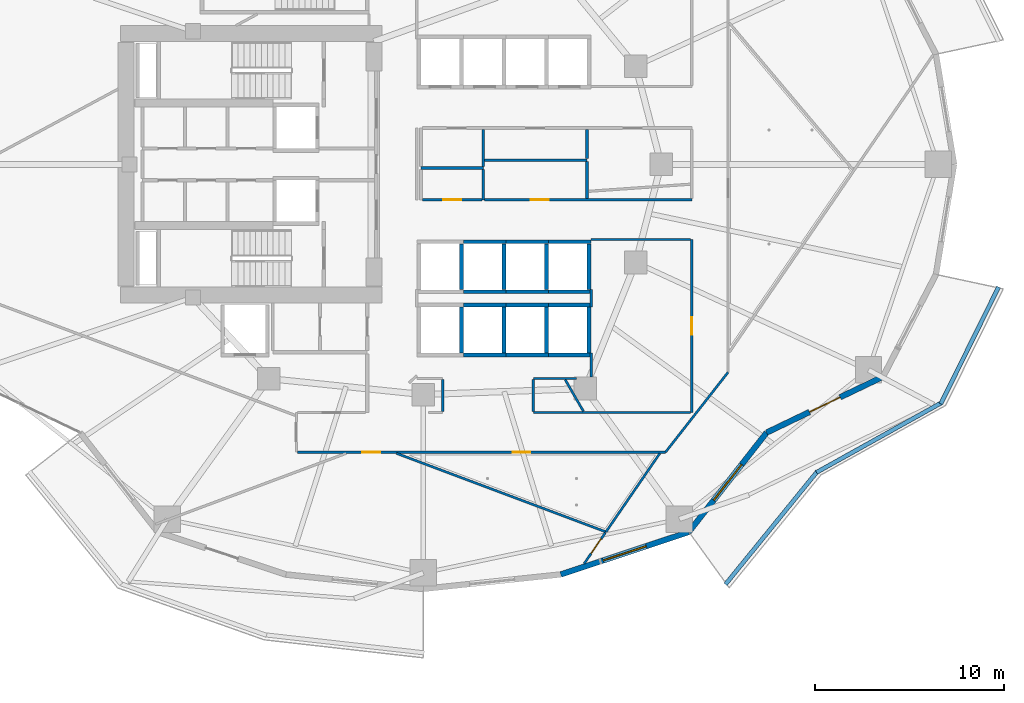
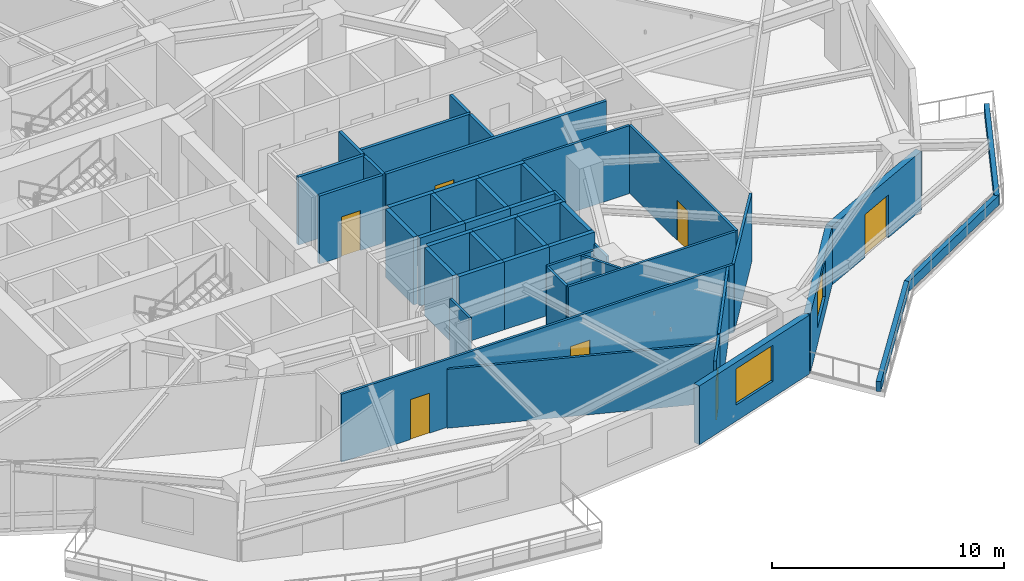
# One storey, part 8 of 19: 48 walls, 7 doors, 2 windows, 9 openings.
"""IFC4 building model written with IfcOpenShell, lengths in metres."""

from ifc_helpers import new_model, si_unit, direction, frame, frame_2d, origin, place, context, subcontext, project, spatial, rectangle, extrude, material, layer, layer_set, type_object, element, fill, save


model = new_model("IFC4")

# Units and contexts
model_context = context("Model", 3, precision=1e-05, world=origin(), true_north=direction((0.0, 1.0)))
body_context = subcontext(model_context, "Body", "Model", "MODEL_VIEW")
ifc_project = project(units=[si_unit("LENGTHUNIT", "METRE"), si_unit("AREAUNIT", "SQUARE_METRE"), si_unit("VOLUMEUNIT", "CUBIC_METRE"), si_unit("PLANEANGLEUNIT", "RADIAN"), si_unit("MASSUNIT", "GRAM", prefix="KILO")], contexts=[model_context])

# Site, building, storey
site_placement = place(None, origin())
site = spatial("IfcSite", under=ifc_project, at=site_placement, CompositionType="ELEMENT")
building_placement = place(site_placement, origin())
building = spatial("IfcBuilding", under=site, at=building_placement, Name="Kolvaren Gate Tower and Convention Centre", CompositionType="ELEMENT")
storey_placement = place(building_placement, frame((0.0, 0.0, 38.050048828125)))
storey = spatial("IfcBuildingStorey", under=building, at=storey_placement, Name="L08", CompositionType="ELEMENT", Elevation=38.050048828125)

# Wall, opening, door
ifc_material_1 = material(Name="Fire-Rated Acoustic Gypsum Stud Partition", Category="gypsum")
ifc_layer_1 = layer(ifc_material_1, 0.1201171875)
ifc_layer_set_1 = layer_set([ifc_layer_1], Name="Fire-Rated Acoustic Gypsum Stud Partition")
wall_type_1 = type_object("IfcWallType", Name="ARCH-WL-PART-120", PredefinedType="PARTITIONING", material=ifc_layer_set_1)
wall_1_placement = place(storey_placement, frame((44.35009765625, 13.85009765625, 0.0), z_axis=(0.0, 0.0, 1.0), x_axis=(0.0, 1.0, 0.0)))
wall_1 = element("IfcWall", 1, at=wall_1_placement, inside=storey, type_object=wall_type_1, Name="Interior Partition WL-L08-INT-026", PredefinedType="PARTITIONING", context=body_context, shape_type="SweptSolid", body=[
    extrude(rectangle(XDim=9.169921875, YDim=0.1201171875, at=frame_2d((4.5849609375, 0.0))), origin(), (0.0, 0.0, 1.0), 3.570068359375),
])
opening_1_placement = place(wall_1_placement, frame((4.110107421875, 0.0, 0.0)))
opening_1 = element("IfcOpeningElement", 2, at=opening_1_placement, cuts=wall_1, Name="Opening DR-01", PredefinedType="OPENING", context=body_context, shape_type="SweptSolid", body=[
    extrude(rectangle(XDim=0.949951171875, YDim=2.10009765625, at=frame_2d((0.47509765625, 1.050048828125))), frame((0.0, 0.070068359375, 0.0), z_axis=(0.0, -1.0, 0.0), x_axis=(1.0, 0.0, 0.0)), (0.0, 0.0, 1.0), 0.14013671875),
])
ifc_material_2 = material(Name="Painted Architectural Steelwork ASTM A500 Grade C 345 MPa", Category="steel")
door_type_1 = type_object("IfcDoorType", Name="ARCH-DR-RISER-950", OperationType="SINGLE_SWING_RIGHT", PredefinedType="DOOR", material=ifc_material_2)
door_1_placement = place(opening_1_placement, origin())
door_1 = element("IfcDoor", 3, at=door_1_placement, inside=storey, type_object=door_type_1, Name="Strategy Huddle Meeting Room Door", OperationType="SINGLE_SWING_RIGHT", OverallHeight=2.10009765625, OverallWidth=0.949951171875, PredefinedType="DOOR", context=body_context, shape_type="SweptSolid", body=[
    extrude(rectangle(XDim=0.949951171875, YDim=2.10009765625, at=frame_2d((0.47509765625, 1.050048828125))), frame((0.0, 0.02490234375, 0.0), z_axis=(0.0, -1.0, 0.0), x_axis=(1.0, 0.0, 0.0)), (0.0, 0.0, 1.0), 0.050048828125),
])
fill(opening_1, door_1)

# Wall
wall_2_placement = place(storey_placement, frame((42.95703125, 11.75, 0.0), z_axis=(0.0, 0.0, 1.0), x_axis=(0.616428289415, 0.78741105149, 0.0)))
element("IfcWall", 4, at=wall_2_placement, inside=storey, type_object=wall_type_1, Name="Interior Partition WL-L08-INT-036", PredefinedType="PARTITIONING", context=body_context, shape_type="SweptSolid", body=[
    extrude(rectangle(XDim=5.37451171875, YDim=0.1201171875, at=frame_2d((2.687255859375, 0.0))), origin(), (0.0, 0.0, 1.0), 3.570068359375),
])

# Wall, openings, doors
wall_3_placement = place(storey_placement, frame((23.4619140625, 11.75, 0.0), z_axis=(0.0, 0.0, 1.0), x_axis=(1.0, 0.0, 0.0)))
wall_3 = element("IfcWall", 5, at=wall_3_placement, inside=storey, type_object=wall_type_1, Name="Interior Partition WL-L08-INT-037", PredefinedType="PARTITIONING", context=body_context, shape_type="SweptSolid", body=[
    extrude(rectangle(XDim=19.4951171875, YDim=0.1201171875, at=frame_2d((9.74755859375, 0.0))), origin(), (0.0, 0.0, 1.0), 3.570068359375),
])
opening_2_placement = place(wall_3_placement, frame((3.43408203125, 0.0, 0.0)))
opening_2 = element("IfcOpeningElement", 6, at=opening_2_placement, cuts=wall_3, Name="Opening DR-01", PredefinedType="OPENING", context=body_context, shape_type="SweptSolid", body=[
    extrude(rectangle(XDim=0.949951171875, YDim=2.10009765625, at=frame_2d((0.47509765625, 1.050048828125))), frame((0.0, 0.070068359375, 0.0), z_axis=(0.0, -1.0, 0.0), x_axis=(1.0, 0.0, 0.0)), (0.0, 0.0, 1.0), 0.14013671875),
])
opening_3_placement = place(wall_3_placement, frame((11.388427734375, 0.0, 0.0)))
opening_3 = element("IfcOpeningElement", 7, at=opening_3_placement, cuts=wall_3, Name="Opening DR-01", PredefinedType="OPENING", context=body_context, shape_type="SweptSolid", body=[
    extrude(rectangle(XDim=0.949951171875, YDim=2.10009765625, at=frame_2d((0.47509765625, 1.050048828125))), frame((0.0, 0.070068359375, 0.0), z_axis=(0.0, -1.0, 0.0), x_axis=(1.0, 0.0, 0.0)), (0.0, 0.0, 1.0), 0.14013671875),
])
door_2_placement = place(opening_2_placement, origin())
door_2 = element("IfcDoor", 8, at=door_2_placement, inside=storey, type_object=door_type_1, Name="Conference and Training Seminar Room Door", OperationType="SINGLE_SWING_RIGHT", OverallHeight=2.10009765625, OverallWidth=0.949951171875, PredefinedType="DOOR", context=body_context, shape_type="SweptSolid", body=[
    extrude(rectangle(XDim=0.949951171875, YDim=2.10009765625, at=frame_2d((0.47509765625, 1.050048828125))), frame((0.0, 0.02490234375, 0.0), z_axis=(0.0, -1.0, 0.0), x_axis=(1.0, 0.0, 0.0)), (0.0, 0.0, 1.0), 0.050048828125),
])
fill(opening_2, door_2)
door_3_placement = place(opening_3_placement, origin())
door_3 = element("IfcDoor", 9, at=door_3_placement, inside=storey, type_object=door_type_1, Name="Catering Tea Pantry Door", OperationType="SINGLE_SWING_LEFT", OverallHeight=2.10009765625, OverallWidth=0.949951171875, PredefinedType="DOOR", context=body_context, shape_type="SweptSolid", body=[
    extrude(rectangle(XDim=0.949951171875, YDim=2.10009765625, at=frame_2d((0.47509765625, 1.050048828125))), frame((0.0, 0.02490234375, 0.0), z_axis=(0.0, -1.0, 0.0), x_axis=(1.0, 0.0, 0.0)), (0.0, 0.0, 1.0), 0.050048828125),
])
fill(opening_3, door_3)

# Walls
wall_4_placement = place(storey_placement, frame((35.949951171875, 13.85009765625, 0.0), z_axis=(0.0, 0.0, 1.0), x_axis=(1.0, 0.0, 0.0)))
element("IfcWall", 10, at=wall_4_placement, inside=storey, type_object=wall_type_1, Name="Interior Partition WL-L08-INT-040", PredefinedType="PARTITIONING", context=body_context, shape_type="SweptSolid", body=[
    extrude(rectangle(XDim=8.338134765625, YDim=0.1201171875, at=frame_2d((4.1689453125, 0.0))), origin(), (0.0, 0.0, 1.0), 3.570068359375),
])
wall_5_placement = place(storey_placement, frame((35.949951171875, 15.64990234375, 0.0), z_axis=(0.0, 0.0, 1.0), x_axis=(1.0, 0.0, 0.0)))
element("IfcWall", 11, at=wall_5_placement, inside=storey, type_object=wall_type_1, Name="Interior Partition WL-L08-INT-044", PredefinedType="PARTITIONING", context=body_context, shape_type="SweptSolid", body=[
    extrude(rectangle(XDim=2.291015625, YDim=0.1201171875, at=frame_2d((1.1455078125, 0.0))), origin(), (0.0, 0.0, 1.0), 3.570068359375),
])
wall_6_placement = place(storey_placement, frame((35.949951171875, 13.912109375, 0.0), z_axis=(0.0, 0.0, 1.0), x_axis=(0.0, 1.0, 0.0)))
element("IfcWall", 12, at=wall_6_placement, inside=storey, type_object=wall_type_1, Name="Interior Partition WL-L08-INT-045", PredefinedType="PARTITIONING", context=body_context, shape_type="SweptSolid", body=[
    extrude(rectangle(XDim=1.67578125, YDim=0.1201171875, at=frame_2d((0.837890625, 0.0))), origin(), (0.0, 0.0, 1.0), 3.570068359375),
])
wall_7_placement = place(storey_placement, frame((39.0, 23.02001953125, 0.0), z_axis=(0.0, 0.0, 1.0), x_axis=(1.0, 0.0, 0.0)))
element("IfcWall", 13, at=wall_7_placement, inside=storey, type_object=wall_type_1, Name="Interior Partition WL-L08-INT-046", PredefinedType="PARTITIONING", context=body_context, shape_type="SweptSolid", body=[
    extrude(rectangle(XDim=5.2880859375, YDim=0.1201171875, at=frame_2d((2.64404296875, 0.0))), origin(), (0.0, 0.0, 1.0), 3.570068359375),
])
wall_8_placement = place(storey_placement, frame((39.02001953125, 15.741943359375, 0.0), z_axis=(0.0, 0.0, 1.0), x_axis=(0.0, 1.0, 0.0)))
element("IfcWall", 14, at=wall_8_placement, inside=storey, type_object=wall_type_1, Name="Interior Partition WL-L08-INT-047", PredefinedType="PARTITIONING", context=body_context, shape_type="SweptSolid", body=[
    extrude(rectangle(XDim=1.26806640625, YDim=0.1201171875, at=frame_2d((0.634033203125, 0.0))), origin(), (0.0, 0.0, 1.0), 2.933837890625),
])
wall_9_placement = place(storey_placement, frame((39.02001953125, 19.43994140625, 0.0), z_axis=(0.0, 0.0, 1.0), x_axis=(0.0, 1.0, 0.0)))
element("IfcWall", 15, at=wall_9_placement, inside=storey, type_object=wall_type_1, Name="Interior Partition WL-L08-INT-047 (2)", PredefinedType="PARTITIONING", context=body_context, shape_type="SweptSolid", body=[
    extrude(rectangle(XDim=0.920166015625, YDim=0.1201171875, at=frame_2d((0.4599609375, 0.0))), origin(), (0.0, 0.0, 1.0), 3.570068359375),
])
wall_10_placement = place(storey_placement, frame((31.14990234375, 13.912109375, 0.0), z_axis=(0.0, 0.0, 1.0), x_axis=(0.0, 1.0, 0.0)))
element("IfcWall", 16, at=wall_10_placement, inside=storey, type_object=wall_type_1, Name="Interior Partition WL-L08-INT-049", PredefinedType="PARTITIONING", context=body_context, shape_type="SweptSolid", body=[
    extrude(rectangle(XDim=1.67578125, YDim=0.1201171875, at=frame_2d((0.837890625, 0.0))), origin(), (0.0, 0.0, 1.0), 3.570068359375),
])
wall_11_placement = place(storey_placement, frame((28.701904296875, 11.68798828125, 0.0), z_axis=(0.0, 0.0, 1.0), x_axis=(0.936344412232, -0.351082813139, 0.0)))
element("IfcWall", 17, at=wall_11_placement, inside=storey, type_object=wall_type_1, Name="Interior Partition WL-L08-INT-055", PredefinedType="PARTITIONING", context=body_context, shape_type="SweptSolid", body=[
    extrude(rectangle(XDim=11.853759765625, YDim=0.1201171875, at=frame_2d((5.9267578125, 0.0))), origin(), (0.0, 0.0, 1.0), 3.093017578125),
])

# Wall, opening, door
wall_12_placement = place(storey_placement, frame((38.64208984375, 5.8369140625, 0.0), z_axis=(0.0, 0.0, 1.0), x_axis=(0.565776914944, 0.82455835604, 0.0)))
wall_12 = element("IfcWall", 18, at=wall_12_placement, inside=storey, type_object=wall_type_1, Name="Interior Partition WL-L08-INT-057", PredefinedType="PARTITIONING", context=body_context, shape_type="SweptSolid", body=[
    extrude(rectangle(XDim=1.98486328125, YDim=0.1201171875, at=frame_2d((0.992431640625, 0.0))), origin(), (0.0, 0.0, 1.0), 3.570068359375),
])
opening_4_placement = place(wall_12_placement, frame((0.657470703125, 0.0, 0.0)))
opening_4 = element("IfcOpeningElement", 19, at=opening_4_placement, cuts=wall_12, Name="Opening DI-01", PredefinedType="OPENING", context=body_context, shape_type="SweptSolid", body=[
    extrude(rectangle(XDim=0.949951171875, YDim=2.10009765625, at=frame_2d((0.47509765625, 1.050048828125))), frame((0.0, 0.070068359375, 0.0), z_axis=(0.0, -1.0, 0.0), x_axis=(1.0, 0.0, 0.0)), (0.0, 0.0, 1.0), 0.14013671875),
])
ifc_material_3 = material(Name="FSC Andean Oak Engineered Veneer Door Leaf", Category="wood")
door_type_2 = type_object("IfcDoorType", Name="ARCH-DR-INT-950", OperationType="SINGLE_SWING_LEFT", PredefinedType="DOOR", material=ifc_material_3)
door_4_placement = place(opening_4_placement, origin())
door_4 = element("IfcDoor", 20, at=door_4_placement, inside=storey, type_object=door_type_2, Name="Conference and Training Seminar Room Door", OperationType="SINGLE_SWING_LEFT", OverallHeight=2.10009765625, OverallWidth=0.949951171875, PredefinedType="DOOR", context=body_context, shape_type="SweptSolid", body=[
    extrude(rectangle(XDim=0.949951171875, YDim=2.10009765625, at=frame_2d((0.47509765625, 1.050048828125))), frame((0.0, 0.02490234375, 0.0), z_axis=(0.0, -1.0, 0.0), x_axis=(1.0, 0.0, 0.0)), (0.0, 0.0, 1.0), 0.050048828125),
])
fill(opening_4, door_4)

# Walls
wall_13_placement = place(storey_placement, frame((39.80078125, 7.52587890625, 0.0), z_axis=(0.0, 0.0, 1.0), x_axis=(0.565756744253, 0.824572195949, 0.0)))
element("IfcWall", 21, at=wall_13_placement, inside=storey, type_object=wall_type_1, Name="Interior Partition WL-L08-INT-057 (2)", PredefinedType="PARTITIONING", context=body_context, shape_type="SweptSolid", body=[
    extrude(rectangle(XDim=5.047607421875, YDim=0.1201171875, at=frame_2d((2.52392578125, 0.0))), origin(), (0.0, 0.0, 1.0), 3.570068359375),
])
wall_14_placement = place(storey_placement, frame((37.641845703125, 15.587890625, 0.0), z_axis=(0.0, 0.0, 1.0), x_axis=(0.499911776505, -0.866076333652, 0.0)))
element("IfcWall", 22, at=wall_14_placement, inside=storey, type_object=wall_type_1, Name="Interior Partition WL-L08-INT-059", PredefinedType="PARTITIONING", context=body_context, shape_type="SweptSolid", body=[
    extrude(rectangle(XDim=1.934814453125, YDim=0.1201171875, at=frame_2d((0.96728515625, 0.0))), origin(), (0.0, 0.0, 1.0), 3.570068359375),
])
ifc_material_4 = material(Name="Piedmont Cream Honed Limestone Cladding", Category="masonry")
ifc_layer_2 = layer(ifc_material_4, 0.219970703125)
ifc_layer_set_2 = layer_set([ifc_layer_2], Name="Piedmont Cream Honed Limestone Cladding")
wall_type_2 = type_object("IfcWallType", Name="ARCH-WL-PLANTER-220", PredefinedType="PARAPET", material=ifc_layer_set_2)
wall_15_placement = place(storey_placement, frame((46.1357421875, 4.748779296875, 0.0), z_axis=(0.0, 0.0, 1.0), x_axis=(0.630997450658, 0.775784903993, 0.0)))
element("IfcWall", 23, at=wall_15_placement, inside=storey, type_object=wall_type_2, Name="Vertical-Forest Balcony Stone Planter Kerb PK-L08-4.1", PredefinedType="PARAPET", context=body_context, shape_type="SweptSolid", body=[
    extrude(rectangle(XDim=7.7177734375, YDim=0.219970703125, at=frame_2d((3.85888671875, 0.0))), origin(), (0.0, 0.0, 1.0), 0.52001953125),
])
wall_16_placement = place(storey_placement, frame((50.959228515625, 10.677978515625, 0.0), z_axis=(0.0, 0.0, 1.0), x_axis=(0.873500119739, 0.48682393205, 0.0)))
element("IfcWall", 24, at=wall_16_placement, inside=storey, type_object=wall_type_2, Name="Vertical-Forest Balcony Stone Planter Kerb PK-L08-4.2", PredefinedType="PARAPET", context=body_context, shape_type="SweptSolid", body=[
    extrude(rectangle(XDim=7.56201171875, YDim=0.219970703125, at=frame_2d((3.781005859375, 0.0))), origin(), (0.0, 0.0, 1.0), 0.52001953125),
])
wall_17_placement = place(storey_placement, frame((57.538818359375, 14.303466796875, 0.0), z_axis=(0.0, 0.0, 1.0), x_axis=(0.443578479433, 0.8962355341, 0.0)))
element("IfcWall", 25, at=wall_17_placement, inside=storey, type_object=wall_type_2, Name="Vertical-Forest Balcony Stone Planter Kerb PK-L08-4.3", PredefinedType="PARAPET", context=body_context, shape_type="SweptSolid", body=[
    extrude(rectangle(XDim=6.9111328125, YDim=0.219970703125, at=frame_2d((3.45556640625, 0.0))), origin(), (0.0, 0.0, 1.0), 0.52001953125),
])
ifc_material_5 = material(Name="Autoclaved Aerated Masonry Blockwork Class 4 (4.0 MPa)", Category="masonry")
ifc_layer_3 = layer(ifc_material_5, 0.199951171875)
ifc_layer_set_3 = layer_set([ifc_layer_3], Name="Autoclaved Aerated Masonry Blockwork Class 4 (4.0 MPa)")
wall_type_3 = type_object("IfcWallType", Name="ARCH-WL-SHAFT-200", PredefinedType="SOLIDWALL", material=ifc_layer_set_3)
wall_18_placement = place(storey_placement, frame((32.14990234375, 17.010009765625, 0.0), z_axis=(0.0, 0.0, 1.0), x_axis=(0.0, 1.0, 0.0)))
element("IfcWall", 26, at=wall_18_placement, inside=storey, type_object=wall_type_3, Name="Elevator PL-05 L08 Fire Shaft Wall E", PredefinedType="SOLIDWALL", context=body_context, shape_type="SweptSolid", body=[
    extrude(rectangle(XDim=2.429931640625, YDim=0.199951171875, at=frame_2d((1.21484375, 0.0))), origin(), (0.0, 0.0, 1.0), 3.570068359375),
])
for number, where, z_axis, x_axis, name in (
    (27, (32.25, 19.550048828125, 0.0), (0.0, 0.0, 1.0), (1.0, 0.0, 0.0), "Elevator PL-06 L08 Fire Shaft Wall N"),
    (28, (32.25, 16.89990234375, 0.0), (0.0, 0.0, 1.0), (1.0, 0.0, 0.0), "Elevator PL-06 L08 Fire Shaft Wall S"),
):
    element("IfcWall", number, at=place(storey_placement, frame(where, z_axis=z_axis, x_axis=x_axis)), inside=storey, type_object=wall_type_3, Name=name, PredefinedType="SOLIDWALL", context=body_context, shape_type="SweptSolid", body=[
        extrude(rectangle(XDim=2.25, YDim=0.199951171875, at=frame_2d((1.125, 0.0))), origin(), (0.0, 0.0, 1.0), 3.570068359375),
    ])
wall_19_placement = place(storey_placement, frame((34.39990234375, 17.010009765625, 0.0), z_axis=(0.0, 0.0, 1.0), x_axis=(0.0, 1.0, 0.0)))
element("IfcWall", 29, at=wall_19_placement, inside=storey, type_object=wall_type_3, Name="Elevator PL-06 L08 Fire Shaft Wall E", PredefinedType="SOLIDWALL", context=body_context, shape_type="SweptSolid", body=[
    extrude(rectangle(XDim=2.429931640625, YDim=0.199951171875, at=frame_2d((1.21484375, 0.0))), origin(), (0.0, 0.0, 1.0), 3.570068359375),
])
for number, where, z_axis, x_axis, name in (
    (30, (34.5, 19.550048828125, 0.0), (0.0, 0.0, 1.0), (1.0, 0.0, 0.0), "Elevator PL-07 L08 Fire Shaft Wall N"),
    (31, (34.5, 16.89990234375, 0.0), (0.0, 0.0, 1.0), (1.0, 0.0, 0.0), "Elevator PL-07 L08 Fire Shaft Wall S"),
):
    element("IfcWall", number, at=place(storey_placement, frame(where, z_axis=z_axis, x_axis=x_axis)), inside=storey, type_object=wall_type_3, Name=name, PredefinedType="SOLIDWALL", context=body_context, shape_type="SweptSolid", body=[
        extrude(rectangle(XDim=2.25, YDim=0.199951171875, at=frame_2d((1.125, 0.0))), origin(), (0.0, 0.0, 1.0), 3.570068359375),
    ])
wall_20_placement = place(storey_placement, frame((36.64990234375, 17.010009765625, 0.0), z_axis=(0.0, 0.0, 1.0), x_axis=(0.0, 1.0, 0.0)))
element("IfcWall", 32, at=wall_20_placement, inside=storey, type_object=wall_type_3, Name="Elevator PL-07 L08 Fire Shaft Wall E", PredefinedType="SOLIDWALL", context=body_context, shape_type="SweptSolid", body=[
    extrude(rectangle(XDim=2.429931640625, YDim=0.199951171875, at=frame_2d((1.21484375, 0.0))), origin(), (0.0, 0.0, 1.0), 3.570068359375),
])
for number, where, z_axis, x_axis, name in (
    (33, (36.75, 19.550048828125, 0.0), (0.0, 0.0, 1.0), (1.0, 0.0, 0.0), "Elevator PL-08 L08 Fire Shaft Wall N"),
    (34, (36.75, 16.89990234375, 0.0), (0.0, 0.0, 1.0), (1.0, 0.0, 0.0), "Elevator PL-08 L08 Fire Shaft Wall S"),
):
    element("IfcWall", number, at=place(storey_placement, frame(where, z_axis=z_axis, x_axis=x_axis)), inside=storey, type_object=wall_type_3, Name=name, PredefinedType="SOLIDWALL", context=body_context, shape_type="SweptSolid", body=[
        extrude(rectangle(XDim=2.25, YDim=0.199951171875, at=frame_2d((1.125, 0.0))), origin(), (0.0, 0.0, 1.0), 3.570068359375),
    ])
for number, where, z_axis, x_axis, name in (
    (35, (38.89990234375, 17.010009765625, 0.0), (0.0, 0.0, 1.0), (0.0, 1.0, 0.0), "Elevator PL-08 L08 Fire Shaft Wall E"),
    (36, (32.14990234375, 20.360107421875, 0.0), (0.0, 0.0, 1.0), (0.0, 1.0, 0.0), "Elevator PL-09 L08 Fire Shaft Wall E"),
):
    element("IfcWall", number, at=place(storey_placement, frame(where, z_axis=z_axis, x_axis=x_axis)), inside=storey, type_object=wall_type_3, Name=name, PredefinedType="SOLIDWALL", context=body_context, shape_type="SweptSolid", body=[
        extrude(rectangle(XDim=2.429931640625, YDim=0.199951171875, at=frame_2d((1.21484375, 0.0))), origin(), (0.0, 0.0, 1.0), 3.570068359375),
    ])
for number, where, z_axis, x_axis, name in (
    (37, (32.25, 22.89990234375, 0.0), (0.0, 0.0, 1.0), (1.0, 0.0, 0.0), "Elevator PL-10 L08 Fire Shaft Wall N"),
    (38, (32.25, 20.25, 0.0), (0.0, 0.0, 1.0), (1.0, 0.0, 0.0), "Elevator PL-10 L08 Fire Shaft Wall S"),
):
    element("IfcWall", number, at=place(storey_placement, frame(where, z_axis=z_axis, x_axis=x_axis)), inside=storey, type_object=wall_type_3, Name=name, PredefinedType="SOLIDWALL", context=body_context, shape_type="SweptSolid", body=[
        extrude(rectangle(XDim=2.25, YDim=0.199951171875, at=frame_2d((1.125, 0.0))), origin(), (0.0, 0.0, 1.0), 3.570068359375),
    ])
wall_21_placement = place(storey_placement, frame((34.39990234375, 20.360107421875, 0.0), z_axis=(0.0, 0.0, 1.0), x_axis=(0.0, 1.0, 0.0)))
element("IfcWall", 39, at=wall_21_placement, inside=storey, type_object=wall_type_3, Name="Elevator PL-10 L08 Fire Shaft Wall E", PredefinedType="SOLIDWALL", context=body_context, shape_type="SweptSolid", body=[
    extrude(rectangle(XDim=2.429931640625, YDim=0.199951171875, at=frame_2d((1.21484375, 0.0))), origin(), (0.0, 0.0, 1.0), 3.570068359375),
])
for number, where, z_axis, x_axis, name in (
    (40, (34.5, 22.89990234375, 0.0), (0.0, 0.0, 1.0), (1.0, 0.0, 0.0), "Elevator PL-11 L08 Fire Shaft Wall N"),
    (41, (34.5, 20.25, 0.0), (0.0, 0.0, 1.0), (1.0, 0.0, 0.0), "Elevator PL-11 L08 Fire Shaft Wall S"),
):
    element("IfcWall", number, at=place(storey_placement, frame(where, z_axis=z_axis, x_axis=x_axis)), inside=storey, type_object=wall_type_3, Name=name, PredefinedType="SOLIDWALL", context=body_context, shape_type="SweptSolid", body=[
        extrude(rectangle(XDim=2.25, YDim=0.199951171875, at=frame_2d((1.125, 0.0))), origin(), (0.0, 0.0, 1.0), 3.570068359375),
    ])
wall_22_placement = place(storey_placement, frame((36.64990234375, 20.360107421875, 0.0), z_axis=(0.0, 0.0, 1.0), x_axis=(0.0, 1.0, 0.0)))
element("IfcWall", 42, at=wall_22_placement, inside=storey, type_object=wall_type_3, Name="Elevator PL-11 L08 Fire Shaft Wall E", PredefinedType="SOLIDWALL", context=body_context, shape_type="SweptSolid", body=[
    extrude(rectangle(XDim=2.429931640625, YDim=0.199951171875, at=frame_2d((1.21484375, 0.0))), origin(), (0.0, 0.0, 1.0), 3.570068359375),
])
for number, where, z_axis, x_axis, name in (
    (43, (36.75, 22.89990234375, 0.0), (0.0, 0.0, 1.0), (1.0, 0.0, 0.0), "Elevator PL-12 L08 Fire Shaft Wall N"),
    (44, (36.75, 20.25, 0.0), (0.0, 0.0, 1.0), (1.0, 0.0, 0.0), "Elevator PL-12 L08 Fire Shaft Wall S"),
):
    element("IfcWall", number, at=place(storey_placement, frame(where, z_axis=z_axis, x_axis=x_axis)), inside=storey, type_object=wall_type_3, Name=name, PredefinedType="SOLIDWALL", context=body_context, shape_type="SweptSolid", body=[
        extrude(rectangle(XDim=2.25, YDim=0.199951171875, at=frame_2d((1.125, 0.0))), origin(), (0.0, 0.0, 1.0), 3.570068359375),
    ])
wall_23_placement = place(storey_placement, frame((38.89990234375, 20.360107421875, 0.0), z_axis=(0.0, 0.0, 1.0), x_axis=(0.0, 1.0, 0.0)))
element("IfcWall", 45, at=wall_23_placement, inside=storey, type_object=wall_type_3, Name="Elevator PL-12 L08 Fire Shaft Wall E", PredefinedType="SOLIDWALL", context=body_context, shape_type="SweptSolid", body=[
    extrude(rectangle(XDim=2.429931640625, YDim=0.199951171875, at=frame_2d((1.21484375, 0.0))), origin(), (0.0, 0.0, 1.0), 3.570068359375),
])

# Wall, opening, window
ifc_layer_4 = layer(ifc_material_4, 0.300048828125)
ifc_layer_set_4 = layer_set([ifc_layer_4], Name="Piedmont Cream Honed Limestone Cladding")
wall_type_4 = type_object("IfcWallType", Name="ARCH-WL-STONE-300", PredefinedType="SOLIDWALL", material=ifc_layer_set_4)
wall_24_placement = place(storey_placement, frame((37.404296875, 5.2666015625, 0.0), z_axis=(0.0, 0.0, 1.0), x_axis=(0.949238715533, 0.31455661006, 0.0)))
wall_24 = element("IfcWall", 46, at=wall_24_placement, inside=storey, type_object=wall_type_4, Name="Tower L08 Honed Stone Spandrel Wall EW-19", PredefinedType="SOLIDWALL", context=body_context, shape_type="SweptSolid", body=[
    extrude(rectangle(XDim=7.14599609375, YDim=0.300048828125, at=frame_2d((3.572998046875, 0.0))), origin(), (0.0, 0.0, 1.0), 3.093017578125),
])
opening_5_placement = place(wall_24_placement, frame((2.373046875, 0.0, 0.85009765625)))
opening_5 = element("IfcOpeningElement", 47, at=opening_5_placement, cuts=wall_24, Name="Opening W-01", PredefinedType="OPENING", context=body_context, shape_type="SweptSolid", body=[
    extrude(rectangle(XDim=2.39990234375, YDim=1.89990234375, at=frame_2d((1.199951171875, 0.949951171875))), frame((0.0, 0.159912109375, 0.0), z_axis=(0.0, -1.0, 0.0), x_axis=(1.0, 0.0, 0.0)), (0.0, 0.0, 1.0), 0.320068359375),
])
ifc_material_6 = material(Name="Low-E Triple Insulated Glazing Unit 44 mm", Category="glass")
window_type = type_object("IfcWindowType", Name="ARCH-WN-OFF-2400", PartitioningType="SINGLE_PANEL", PredefinedType="WINDOW", material=ifc_material_6)
window_1_placement = place(opening_5_placement, origin())
window_1 = element("IfcWindow", 48, at=window_1_placement, inside=storey, type_object=window_type, Name="Tower L08 Punched Stone Facade Window W-19", OverallHeight=1.89990234375, OverallWidth=2.39990234375, PartitioningType="SINGLE_PANEL", PredefinedType="WINDOW", context=body_context, shape_type="SweptSolid", body=[
    extrude(rectangle(XDim=2.39990234375, YDim=1.89990234375, at=frame_2d((1.199951171875, 0.949951171875))), frame((0.0, 0.030029296875, 0.0), z_axis=(0.0, -1.0, 0.0), x_axis=(1.0, 0.0, 0.0)), (0.0, 0.0, 1.0), 0.06005859375),
])
fill(opening_5, window_1)

wall_25_placement = place(storey_placement, frame((44.1875, 7.514404296875, 0.0), z_axis=(0.0, 0.0, 1.0), x_axis=(0.616421309777, 0.787416515482, 0.0)))
wall_25 = element("IfcWall", 49, at=wall_25_placement, inside=storey, type_object=wall_type_4, Name="Tower L08 Honed Stone Spandrel Wall EW-20", PredefinedType="SOLIDWALL", context=body_context, shape_type="SweptSolid", body=[
    extrude(rectangle(XDim=6.6962890625, YDim=0.300048828125, at=frame_2d((3.34814453125, 0.0))), origin(), (0.0, 0.0, 1.0), 3.093017578125),
])
opening_6_placement = place(wall_25_placement, frame((2.14794921875, 0.0, 0.85009765625)))
opening_6 = element("IfcOpeningElement", 50, at=opening_6_placement, cuts=wall_25, Name="Opening W-01", PredefinedType="OPENING", context=body_context, shape_type="SweptSolid", body=[
    extrude(rectangle(XDim=2.39990234375, YDim=1.89990234375, at=frame_2d((1.199951171875, 0.949951171875))), frame((0.0, 0.159912109375, 0.0), z_axis=(0.0, -1.0, 0.0), x_axis=(1.0, 0.0, 0.0)), (0.0, 0.0, 1.0), 0.320068359375),
])
window_2_placement = place(opening_6_placement, origin())
window_2 = element("IfcWindow", 51, at=window_2_placement, inside=storey, type_object=window_type, Name="Tower L08 Punched Stone Facade Window W-20", OverallHeight=1.89990234375, OverallWidth=2.39990234375, PartitioningType="SINGLE_PANEL", PredefinedType="WINDOW", context=body_context, shape_type="SweptSolid", body=[
    extrude(rectangle(XDim=2.39990234375, YDim=1.89990234375, at=frame_2d((1.199951171875, 0.949951171875))), frame((0.0, 0.030029296875, 0.0), z_axis=(0.0, -1.0, 0.0), x_axis=(1.0, 0.0, 0.0)), (0.0, 0.0, 1.0), 0.06005859375),
])
fill(opening_6, window_2)

# Wall, opening, door
wall_26_placement = place(storey_placement, frame((48.315185546875, 12.787109375, 0.0), z_axis=(0.0, 0.0, 1.0), x_axis=(0.901360393999, 0.433069786673, 0.0)))
wall_26 = element("IfcWall", 52, at=wall_26_placement, inside=storey, type_object=wall_type_4, Name="Tower L08 Honed Stone Spandrel Wall EW-21", PredefinedType="SOLIDWALL", context=body_context, shape_type="SweptSolid", body=[
    extrude(rectangle(XDim=6.841552734375, YDim=0.300048828125, at=frame_2d((3.4208984375, 0.0))), origin(), (0.0, 0.0, 1.0), 3.093017578125),
])
opening_7_placement = place(wall_26_placement, frame((2.52099609375, 0.0, 0.0)))
opening_7 = element("IfcOpeningElement", 53, at=opening_7_placement, cuts=wall_26, Name="Opening DB-01", PredefinedType="OPENING", context=body_context, shape_type="SweptSolid", body=[
    extrude(rectangle(XDim=1.800048828125, YDim=2.25, at=frame_2d((0.89990234375, 1.125))), frame((0.0, 0.159912109375, 0.0), z_axis=(0.0, -1.0, 0.0), x_axis=(1.0, 0.0, 0.0)), (0.0, 0.0, 1.0), 0.320068359375),
])
ifc_material_7 = material(Name="Anodized Architectural Aluminium Alloy 6063-T6", Category="aluminium")
door_type_3 = type_object("IfcDoorType", Name="ARCH-DR-BALC-1800", OperationType="SLIDING_TO_LEFT", PredefinedType="DOOR", material=ifc_material_7)
door_5_placement = place(opening_7_placement, frame((1.800048828125, 0.0, 0.0), z_axis=(0.0, 0.0, 1.0), x_axis=(-1.0, 0.0, 0.0)))
door_5 = element("IfcDoor", 54, at=door_5_placement, inside=storey, type_object=door_type_3, Name="Planted Sky Terrace Access Door DB-L08-21", OperationType="SLIDING_TO_LEFT", OverallHeight=2.25, OverallWidth=1.800048828125, PredefinedType="DOOR", context=body_context, shape_type="SweptSolid", body=[
    extrude(rectangle(XDim=1.800048828125, YDim=2.25, at=frame_2d((0.89990234375, 1.125))), frame((0.0, 0.02490234375, 0.0), z_axis=(0.0, -1.0, 0.0), x_axis=(1.0, 0.0, 0.0)), (0.0, 0.0, 1.0), 0.050048828125),
])
fill(opening_7, door_5)

# Walls
ifc_material_8 = material(Name="Moisture-Resistant Cement-Board Acoustic Partition", Category="gypsum")
ifc_layer_5 = layer(ifc_material_8, 0.14990234375)
ifc_layer_set_5 = layer_set([ifc_layer_5], Name="Moisture-Resistant Cement-Board Acoustic Partition")
wall_type_5 = type_object("IfcWallType", Name="ARCH-WL-WET-150", PredefinedType="PARTITIONING", material=ifc_layer_set_5)
wall_27_placement = place(storey_placement, frame((30.0, 26.800048828125, 0.0), z_axis=(0.0, 0.0, 1.0), x_axis=(1.0, 0.0, 0.0)))
element("IfcWall", 55, at=wall_27_placement, inside=storey, type_object=wall_type_5, Name="Interior Partition WL-L08-INT-015", PredefinedType="PARTITIONING", context=body_context, shape_type="SweptSolid", body=[
    extrude(rectangle(XDim=3.300048828125, YDim=0.14990234375, at=frame_2d((1.64990234375, 0.0))), origin(), (0.0, 0.0, 1.0), 3.570068359375),
])
wall_28_placement = place(storey_placement, frame((33.300048828125, 25.1201171875, 0.0), z_axis=(0.0, 0.0, 1.0), x_axis=(0.0, 1.0, 0.0)))
element("IfcWall", 56, at=wall_28_placement, inside=storey, type_object=wall_type_5, Name="Interior Partition WL-L08-INT-018", PredefinedType="PARTITIONING", context=body_context, shape_type="SweptSolid", body=[
    extrude(rectangle(XDim=1.602783203125, YDim=0.14990234375, at=frame_2d((0.80126953125, 0.0))), origin(), (0.0, 0.0, 1.0), 3.570068359375),
])
wall_29_placement = place(storey_placement, frame((33.300048828125, 26.876953125, 0.0), z_axis=(0.0, 0.0, 1.0), x_axis=(0.0, 1.0, 0.0)))
element("IfcWall", 57, at=wall_29_placement, inside=storey, type_object=wall_type_5, Name="Interior Partition WL-L08-INT-018 (2)", PredefinedType="PARTITIONING", context=body_context, shape_type="SweptSolid", body=[
    extrude(rectangle(XDim=1.966064453125, YDim=0.14990234375, at=frame_2d((0.98291015625, 0.0))), origin(), (0.0, 0.0, 1.0), 3.570068359375),
])

# Wall, opening, door
wall_30_placement = place(storey_placement, frame((30.076904296875, 25.1201171875, 0.0), z_axis=(0.0, 0.0, 1.0), x_axis=(1.0, 0.0, 0.0)))
wall_30 = element("IfcWall", 58, at=wall_30_placement, inside=storey, type_object=wall_type_5, Name="Interior Partition WL-L08-INT-019", PredefinedType="PARTITIONING", context=body_context, shape_type="SweptSolid", body=[
    extrude(rectangle(XDim=3.14599609375, YDim=0.14990234375, at=frame_2d((1.572998046875, 0.0))), origin(), (0.0, 0.0, 1.0), 3.570068359375),
])
opening_8_placement = place(wall_30_placement, frame((1.097900390625, 0.0, 0.0)))
opening_8 = element("IfcOpeningElement", 59, at=opening_8_placement, cuts=wall_30, Name="Opening DR-01", PredefinedType="OPENING", context=body_context, shape_type="SweptSolid", body=[
    extrude(rectangle(XDim=0.949951171875, YDim=2.10009765625, at=frame_2d((0.47509765625, 1.050048828125))), frame((0.0, 0.0849609375, 0.0), z_axis=(0.0, -1.0, 0.0), x_axis=(1.0, 0.0, 0.0)), (0.0, 0.0, 1.0), 0.169921875),
])
door_6_placement = place(opening_8_placement, origin())
door_6 = element("IfcDoor", 60, at=door_6_placement, inside=storey, type_object=door_type_1, Name="South Visitor Washroom Door", OperationType="SINGLE_SWING_LEFT", OverallHeight=2.10009765625, OverallWidth=0.949951171875, PredefinedType="DOOR", context=body_context, shape_type="SweptSolid", body=[
    extrude(rectangle(XDim=0.949951171875, YDim=2.10009765625, at=frame_2d((0.47509765625, 1.050048828125))), frame((0.0, 0.02490234375, 0.0), z_axis=(0.0, -1.0, 0.0), x_axis=(1.0, 0.0, 0.0)), (0.0, 0.0, 1.0), 0.050048828125),
])
fill(opening_8, door_6)

wall_31_placement = place(storey_placement, frame((33.376953125, 25.1201171875, 0.0), z_axis=(0.0, 0.0, 1.0), x_axis=(1.0, 0.0, 0.0)))
wall_31 = element("IfcWall", 61, at=wall_31_placement, inside=storey, type_object=wall_type_5, Name="Interior Partition WL-L08-INT-019 (2)", PredefinedType="PARTITIONING", context=body_context, shape_type="SweptSolid", body=[
    extrude(rectangle(XDim=10.97314453125, YDim=0.14990234375, at=frame_2d((5.486572265625, 0.0))), origin(), (0.0, 0.0, 1.0), 3.570068359375),
])
opening_9_placement = place(wall_31_placement, frame((2.44140625, 0.0, 0.0)))
opening_9 = element("IfcOpeningElement", 62, at=opening_9_placement, cuts=wall_31, Name="Opening DR-01", PredefinedType="OPENING", context=body_context, shape_type="SweptSolid", body=[
    extrude(rectangle(XDim=0.949951171875, YDim=2.10009765625, at=frame_2d((0.47509765625, 1.050048828125))), frame((0.0, 0.0849609375, 0.0), z_axis=(0.0, -1.0, 0.0), x_axis=(1.0, 0.0, 0.0)), (0.0, 0.0, 1.0), 0.169921875),
])
door_7_placement = place(opening_9_placement, origin())
door_7 = element("IfcDoor", 63, at=door_7_placement, inside=storey, type_object=door_type_1, Name="Floor Coffee Pantry Door", OperationType="SINGLE_SWING_LEFT", OverallHeight=2.10009765625, OverallWidth=0.949951171875, PredefinedType="DOOR", context=body_context, shape_type="SweptSolid", body=[
    extrude(rectangle(XDim=0.949951171875, YDim=2.10009765625, at=frame_2d((0.47509765625, 1.050048828125))), frame((0.0, 0.02490234375, 0.0), z_axis=(0.0, -1.0, 0.0), x_axis=(1.0, 0.0, 0.0)), (0.0, 0.0, 1.0), 0.050048828125),
])
fill(opening_9, door_7)

# Walls
wall_32_placement = place(storey_placement, frame((33.376953125, 27.219970703125, 0.0), z_axis=(0.0, 0.0, 1.0), x_axis=(1.0, 0.0, 0.0)))
element("IfcWall", 64, at=wall_32_placement, inside=storey, type_object=wall_type_5, Name="Interior Partition WL-L08-INT-020", PredefinedType="PARTITIONING", context=body_context, shape_type="SweptSolid", body=[
    extrude(rectangle(XDim=5.423095703125, YDim=0.14990234375, at=frame_2d((2.71142578125, 0.0))), origin(), (0.0, 0.0, 1.0), 3.570068359375),
])
wall_33_placement = place(storey_placement, frame((38.800048828125, 25.197021484375, 0.0), z_axis=(0.0, 0.0, 1.0), x_axis=(0.0, 1.0, 0.0)))
element("IfcWall", 65, at=wall_33_placement, inside=storey, type_object=wall_type_5, Name="Interior Partition WL-L08-INT-021", PredefinedType="PARTITIONING", context=body_context, shape_type="SweptSolid", body=[
    extrude(rectangle(XDim=1.946044921875, YDim=0.14990234375, at=frame_2d((0.97314453125, 0.0))), origin(), (0.0, 0.0, 1.0), 3.570068359375),
])
wall_34_placement = place(storey_placement, frame((38.800048828125, 27.297119140625, 0.0), z_axis=(0.0, 0.0, 1.0), x_axis=(0.0, 1.0, 0.0)))
element("IfcWall", 66, at=wall_34_placement, inside=storey, type_object=wall_type_5, Name="Interior Partition WL-L08-INT-021 (2)", PredefinedType="PARTITIONING", context=body_context, shape_type="SweptSolid", body=[
    extrude(rectangle(XDim=1.5458984375, YDim=0.14990234375, at=frame_2d((0.77294921875, 0.0))), origin(), (0.0, 0.0, 1.0), 3.570068359375),
])

save(model, "model.ifc")
